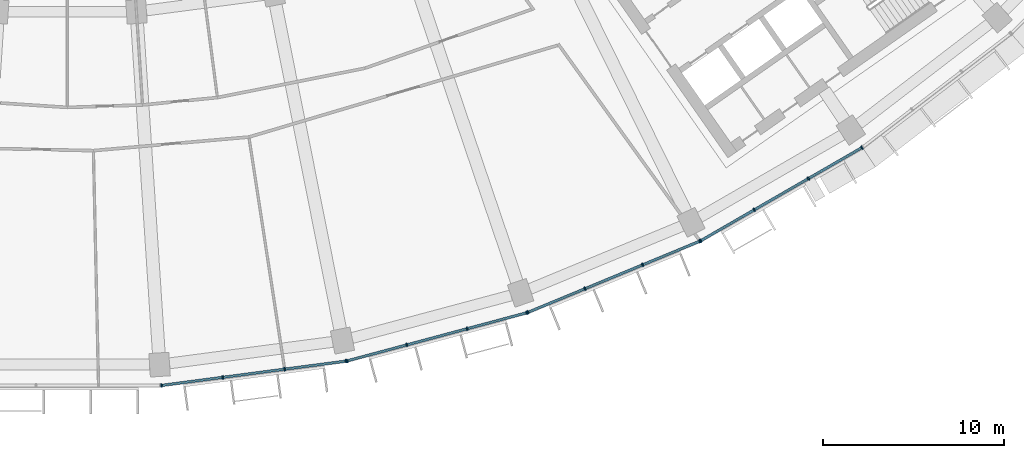
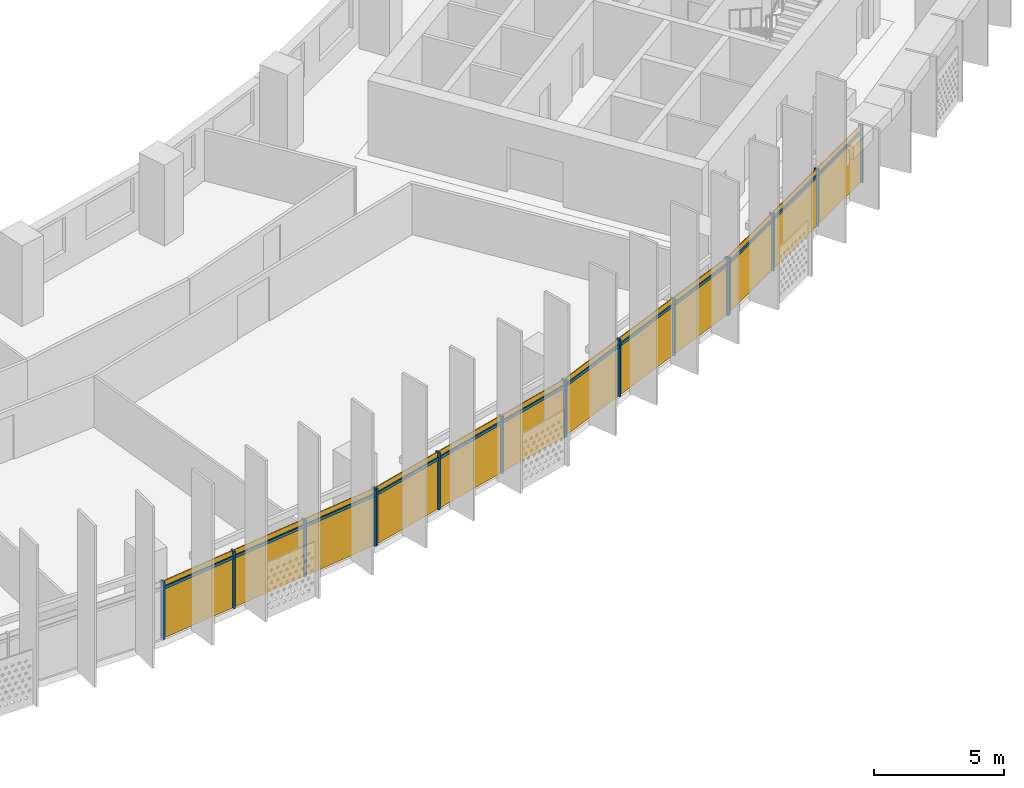
# One storey, part 19 of 27: 28 members, 4 curtain walls.
"""IFC4 building model written with IfcOpenShell, lengths in metres."""

import ifcopenshell
import ifcopenshell.guid

model = None  # the IFC model being written
_history = None  # IfcOwnerHistory: only IFC2X3 demands one
_inside = {}  # id of a spatial element -> (the spatial element, [elements in it])
_under = {}  # id of a project, library or spatial element -> (it, [spatial elements below it])
_declared = {}  # id of a project -> (the project, [libraries it declares])
_typed = {}  # id of a type object -> (the type object, [elements of that type])
_made_of = {}  # id of a material, layer set ... -> (it, [elements and type objects made of it])


def new_model(schema):
    """Start an empty IFC model of exactly this schema.

    Asked for "IFC4X3", IfcOpenShell would pick the latest addendum, in which some entities
    have other attributes; the version numbers below select the first issue.
    IFC2X3 requires an IfcOwnerHistory on every rooted entity: one is made here for all.
    """
    global model, _history
    if schema == "IFC4X3":
        model = ifcopenshell.file(schema_version=(4, 3, 0, 0))
    else:
        model = ifcopenshell.file(schema=schema)
    _inside.clear()
    _under.clear()
    _declared.clear()
    _typed.clear()
    _made_of.clear()
    _history = None
    if model.schema == "IFC2X3":
        org = make("IfcOrganization", Name="unknown")
        user = make(
            "IfcPersonAndOrganization",
            ThePerson=make("IfcPerson", FamilyName="unknown"),
            TheOrganization=org,
        )
        app = make(
            "IfcApplication",
            ApplicationDeveloper=org,
            Version="unknown",
            ApplicationFullName="unknown",
            ApplicationIdentifier="unknown",
        )
        _history = make(
            "IfcOwnerHistory",
            OwningUser=user,
            OwningApplication=app,
            ChangeAction="ADDED",
            CreationDate=0,
        )
    return model


def make(cls, **values):
    """One entity of the class cls with the attributes given. An attribute that is None is left unset."""
    return model.create_entity(
        cls, **{name: value for name, value in values.items() if value is not None}
    )


def rooted(cls, **values):
    """An entity with a GlobalId (a new one), such as an element, a storey or a relation."""
    return make(cls, GlobalId=ifcopenshell.guid.new(), OwnerHistory=_history, **values)


def si_unit(unit_type, name, prefix=None):
    """IfcSIUnit, for example si_unit("LENGTHUNIT", "METRE", prefix="MILLI")."""
    return make("IfcSIUnit", UnitType=unit_type, Prefix=prefix, Name=name)


def assignment(units):
    """IfcUnitAssignment: the units of a project."""
    return None if units is None else make("IfcUnitAssignment", Units=units)


def point(xyz):
    """IfcCartesianPoint."""
    return None if xyz is None else make("IfcCartesianPoint", Coordinates=xyz)


def direction(xyz):
    """IfcDirection."""
    return None if xyz is None else make("IfcDirection", DirectionRatios=xyz)


def frame(location, z_axis=None, x_axis=None):
    """IfcAxis2Placement3D, a coordinate frame: its origin and axes. An axis left out is left unset."""
    return make(
        "IfcAxis2Placement3D",
        Location=point(location),
        Axis=direction(z_axis),
        RefDirection=direction(x_axis),
    )


def frame_2d(location, x_axis=None):
    """IfcAxis2Placement2D, a coordinate frame in the plane: its origin and x axis."""
    return make(
        "IfcAxis2Placement2D", Location=point(location), RefDirection=direction(x_axis)
    )


def origin():
    """The frame at (0, 0, 0) with its axes left unset."""
    return frame((0.0, 0.0, 0.0))


def origin_2d():
    """The frame at (0, 0) in the plane with its x axis left unset."""
    return frame_2d((0.0, 0.0))


def place(relative_to, where):
    """IfcLocalPlacement: puts the frame where relative to a parent placement (None: the world)."""
    return make(
        "IfcLocalPlacement", PlacementRelTo=relative_to, RelativePlacement=where
    )


def context(
    kind, dimensions, precision=None, world=None, true_north=None, identifier=None
):
    """IfcGeometricRepresentationContext, for example the 3D "Model" context."""
    return make(
        "IfcGeometricRepresentationContext",
        ContextIdentifier=identifier,
        ContextType=kind,
        CoordinateSpaceDimension=dimensions,
        Precision=precision,
        WorldCoordinateSystem=world,
        TrueNorth=true_north,
    )


def subcontext(parent, identifier, kind, view, scale=None):
    """IfcGeometricRepresentationSubContext, for example "Body" below "Model"."""
    return make(
        "IfcGeometricRepresentationSubContext",
        ContextIdentifier=identifier,
        ContextType=kind,
        ParentContext=parent,
        TargetScale=scale,
        TargetView=view,
    )


def project(units=None, contexts=None):
    """IfcProject with its units and contexts."""
    return rooted(
        "IfcProject",
        Name="project",
        RepresentationContexts=contexts,
        UnitsInContext=assignment(units),
    )


def spatial(cls, under=None, at=None, **own):
    """A site, building, storey or space (cls), placed at a placement, below another one or the project."""
    s = rooted(cls, ObjectPlacement=at, **own)
    if under is not None:
        _under.setdefault(under.id(), (under, []))[1].append(s)
    return s


def profile(cls, at=None, kind="AREA", **sizes):
    """A parametric profile (cls). Its sizes go by their IFC names, for example OverallWidth=200.0."""
    return make(cls, ProfileType=kind, Position=at, **sizes)


def rectangle(**sizes):
    """IfcRectangleProfileDef."""
    return profile("IfcRectangleProfileDef", **sizes)


def extrude(swept, where, along, depth):
    """IfcExtrudedAreaSolid: the profile swept, set in the frame where, extruded along a direction by depth."""
    return make(
        "IfcExtrudedAreaSolid",
        SweptArea=swept,
        Position=where,
        ExtrudedDirection=direction(along),
        Depth=depth,
    )


def shape(context_of_items, identifier, shape_type, items):
    """IfcShapeRepresentation: the items that make up one representation, for example the "Body"."""
    return make(
        "IfcShapeRepresentation",
        ContextOfItems=context_of_items,
        RepresentationIdentifier=identifier,
        RepresentationType=shape_type,
        Items=items,
    )


def material(Name=None, Category=None):
    """IfcMaterial."""
    return make("IfcMaterial", Name=Name, Category=Category)


def material_profile(
    of_material, cross_section, Name=None, Category=None, Priority=None
):
    """IfcMaterialProfile: a cross section and its material."""
    return make(
        "IfcMaterialProfile",
        Name=Name,
        Material=of_material,
        Profile=cross_section,
        Priority=Priority,
        Category=Category,
    )


def profile_set(profiles, Name=None, composite=None):
    """IfcMaterialProfileSet."""
    return make(
        "IfcMaterialProfileSet",
        Name=Name,
        MaterialProfiles=profiles,
        CompositeProfile=composite,
    )


def made_of(thing, what):
    """Note that an element or type object is made of a material, layer set ...; save() writes the relation."""
    if what is not None:
        _made_of.setdefault(what.id(), (what, []))[1].append(thing)
    return thing


def type_object(cls, material=None, **own):
    """A type object (cls), such as IfcWallType, which elements share."""
    return made_of(rooted(cls, **own), material)


def element(
    cls,
    number,
    at=None,
    inside=None,
    cuts=None,
    type_object=None,
    material=None,
    context=None,
    identifier="Body",
    shape_type=None,
    held_by="IfcProductDefinitionShape",
    body=None,
    shapes=None,
    **own,
):
    """One element of the class cls, such as IfcWall. Its Tag is "e" and its number.

    at: its placement. inside: the storey or other place that contains it. cuts: it is an
    opening in that element (IfcRelVoidsElement). A single representation is given by context,
    identifier, shape_type and body (its items); several are given by shapes. held_by: the class
    of the entity that holds the representations. save() writes the other relations.
    """
    e = rooted(cls, Tag="e%d" % number, ObjectPlacement=at, **own)
    if body is not None:
        shapes = [shape(context, identifier, shape_type, body)]
    if shapes is not None:
        e.Representation = make(held_by, Representations=shapes)
    if inside is not None:
        _inside.setdefault(inside.id(), (inside, []))[1].append(e)
    if cuts is not None:
        rooted(
            "IfcRelVoidsElement", RelatingBuildingElement=cuts, RelatedOpeningElement=e
        )
    if type_object is not None:
        _typed.setdefault(type_object.id(), (type_object, []))[1].append(e)
    return made_of(e, material)


def aggregate(whole, parts):
    """IfcRelAggregates: a whole, such as a stair, and the parts it consists of."""
    return rooted("IfcRelAggregates", RelatingObject=whole, RelatedObjects=parts)


def save(model, path):
    """Write the relations noted so far, then the file.

    IfcRelAggregates (storeys below a building ...), IfcRelContainedInSpatialStructure (elements
    in a storey), IfcRelDefinesByType, IfcRelAssociatesMaterial and IfcRelDeclares: one each for
    every whole, place, type object, material and project.
    """
    for whole, parts in _under.values():
        aggregate(whole, parts)
    for where, things in _inside.values():
        rooted(
            "IfcRelContainedInSpatialStructure",
            RelatedElements=things,
            RelatingStructure=where,
        )
    for kind, things in _typed.values():
        rooted("IfcRelDefinesByType", RelatedObjects=things, RelatingType=kind)
    for what, things in _made_of.values():
        rooted("IfcRelAssociatesMaterial", RelatedObjects=things, RelatingMaterial=what)
    for by, libraries in _declared.values():
        rooted("IfcRelDeclares", RelatingContext=by, RelatedDefinitions=libraries)
    model.write(path)


model = new_model("IFC4")

# Units and contexts
model_context = context("Model", 3, precision=1e-05, world=origin(), true_north=direction((0.0, 1.0)))
body_context = subcontext(model_context, "Body", "Model", "MODEL_VIEW")
ifc_project = project(units=[si_unit("LENGTHUNIT", "METRE"), si_unit("AREAUNIT", "SQUARE_METRE"), si_unit("VOLUMEUNIT", "CUBIC_METRE"), si_unit("PLANEANGLEUNIT", "RADIAN"), si_unit("MASSUNIT", "GRAM", prefix="KILO")], contexts=[model_context])

# Member
ifc_material = material(Name="Aluminium 6063-T6 anodised", Category="aluminium")
ifc_material_profile_1 = material_profile(ifc_material, rectangle(XDim=0.199951171875, YDim=0.070068359375, at=origin_2d()))
ifc_profile_set_1 = profile_set([ifc_material_profile_1], Name="Aluminium 6063-T6 anodised")
member_type_1 = type_object("IfcMemberType", Name="Mullion 70 x 200 aluminium", PredefinedType="MULLION", material=ifc_profile_set_1)
site_placement = place(None, origin())
building_placement = place(site_placement, origin())
storey_placement = place(building_placement, frame((0.0, 0.0, 172.10009765625)))
member_1_placement = place(storey_placement, frame((5.1884765625, -78.72705078125, 0.0), z_axis=(0.0, 0.0, 1.0), x_axis=(-0.13052619222, 0.991444861374, 0.0)))
member_1 = element("IfcMember", 1, at=member_1_placement, type_object=member_type_1, Name="e-cw1-L40-out08/M00", PredefinedType="MULLION", context=body_context, shape_type="SweptSolid", body=[
    extrude(rectangle(XDim=0.199951171875, YDim=0.070068359375, at=origin_2d()), origin(), (0.0, 0.0, 1.0), 2.699951171875),
])

member_2_placement = place(storey_placement, frame((8.56884765625, -78.2822265625, 0.0), z_axis=(0.0, 0.0, 1.0), x_axis=(-0.13052619222, 0.991444861374, 0.0)))
member_2 = element("IfcMember", 2, at=member_2_placement, type_object=member_type_1, Name="e-cw1-L40-out08/M01", PredefinedType="MULLION", context=body_context, shape_type="SweptSolid", body=[
    extrude(rectangle(XDim=0.199951171875, YDim=0.070068359375, at=origin_2d()), origin(), (0.0, 0.0, 1.0), 2.699951171875),
])

member_3_placement = place(storey_placement, frame((11.98388671875, -77.83251953125, 0.0), z_axis=(0.0, 0.0, 1.0), x_axis=(-0.13052619222, 0.991444861374, 0.0)))
member_3 = element("IfcMember", 3, at=member_3_placement, type_object=member_type_1, Name="e-cw1-L40-out08/M02", PredefinedType="MULLION", context=body_context, shape_type="SweptSolid", body=[
    extrude(rectangle(XDim=0.199951171875, YDim=0.070068359375, at=origin_2d()), origin(), (0.0, 0.0, 1.0), 2.699951171875),
])

member_4_placement = place(storey_placement, frame((15.364501953125, -77.387451171875, 0.0), z_axis=(0.0, 0.0, 1.0), x_axis=(-0.13052619222, 0.991444861374, 0.0)))
member_4 = element("IfcMember", 4, at=member_4_placement, type_object=member_type_1, Name="e-cw1-L40-out08/M03", PredefinedType="MULLION", context=body_context, shape_type="SweptSolid", body=[
    extrude(rectangle(XDim=0.199951171875, YDim=0.070068359375, at=origin_2d()), origin(), (0.0, 0.0, 1.0), 2.699951171875),
])

member_5_placement = place(storey_placement, frame((15.420166015625, -77.37646484375, 0.0), z_axis=(0.0, 0.0, 1.0), x_axis=(-0.258819045103, 0.965925826289, 0.0)))
member_5 = element("IfcMember", 5, at=member_5_placement, type_object=member_type_1, Name="e-cw1-L40-out09/M00", PredefinedType="MULLION", context=body_context, shape_type="SweptSolid", body=[
    extrude(rectangle(XDim=0.199951171875, YDim=0.070068359375, at=origin_2d()), origin(), (0.0, 0.0, 1.0), 2.699951171875),
])

member_6_placement = place(storey_placement, frame((18.71337890625, -76.493896484375, 0.0), z_axis=(0.0, 0.0, 1.0), x_axis=(-0.258819045103, 0.965925826289, 0.0)))
member_6 = element("IfcMember", 6, at=member_6_placement, type_object=member_type_1, Name="e-cw1-L40-out09/M01", PredefinedType="MULLION", context=body_context, shape_type="SweptSolid", body=[
    extrude(rectangle(XDim=0.199951171875, YDim=0.070068359375, at=origin_2d()), origin(), (0.0, 0.0, 1.0), 2.699951171875),
])

member_7_placement = place(storey_placement, frame((22.04052734375, -75.602294921875, 0.0), z_axis=(0.0, 0.0, 1.0), x_axis=(-0.258819045103, 0.965925826289, 0.0)))
member_7 = element("IfcMember", 7, at=member_7_placement, type_object=member_type_1, Name="e-cw1-L40-out09/M02", PredefinedType="MULLION", context=body_context, shape_type="SweptSolid", body=[
    extrude(rectangle(XDim=0.199951171875, YDim=0.070068359375, at=origin_2d()), origin(), (0.0, 0.0, 1.0), 2.699951171875),
])

member_8_placement = place(storey_placement, frame((25.333984375, -74.719970703125, 0.0), z_axis=(0.0, 0.0, 1.0), x_axis=(-0.258819045103, 0.965925826289, 0.0)))
member_8 = element("IfcMember", 8, at=member_8_placement, type_object=member_type_1, Name="e-cw1-L40-out09/M03", PredefinedType="MULLION", context=body_context, shape_type="SweptSolid", body=[
    extrude(rectangle(XDim=0.199951171875, YDim=0.070068359375, at=origin_2d()), origin(), (0.0, 0.0, 1.0), 2.699951171875),
])

member_9_placement = place(storey_placement, frame((25.3876953125, -74.70166015625, 0.0), z_axis=(0.0, 0.0, 1.0), x_axis=(-0.382683432365, 0.923879532511, 0.0)))
member_9 = element("IfcMember", 9, at=member_9_placement, type_object=member_type_1, Name="e-cw1-L40-out10/M00", PredefinedType="MULLION", context=body_context, shape_type="SweptSolid", body=[
    extrude(rectangle(XDim=0.199951171875, YDim=0.070068359375, at=origin_2d()), origin(), (0.0, 0.0, 1.0), 2.699951171875),
])

member_10_placement = place(storey_placement, frame((28.537841796875, -73.39697265625, 0.0), z_axis=(0.0, 0.0, 1.0), x_axis=(-0.382683432365, 0.923879532511, 0.0)))
member_10 = element("IfcMember", 10, at=member_10_placement, type_object=member_type_1, Name="e-cw1-L40-out10/M01", PredefinedType="MULLION", context=body_context, shape_type="SweptSolid", body=[
    extrude(rectangle(XDim=0.199951171875, YDim=0.070068359375, at=origin_2d()), origin(), (0.0, 0.0, 1.0), 2.699951171875),
])

member_11_placement = place(storey_placement, frame((31.72021484375, -72.078857421875, 0.0), z_axis=(0.0, 0.0, 1.0), x_axis=(-0.382683432365, 0.923879532511, 0.0)))
member_11 = element("IfcMember", 11, at=member_11_placement, type_object=member_type_1, Name="e-cw1-L40-out10/M02", PredefinedType="MULLION", context=body_context, shape_type="SweptSolid", body=[
    extrude(rectangle(XDim=0.199951171875, YDim=0.070068359375, at=origin_2d()), origin(), (0.0, 0.0, 1.0), 2.699951171875),
])

member_12_placement = place(storey_placement, frame((34.8701171875, -70.77392578125, 0.0), z_axis=(0.0, 0.0, 1.0), x_axis=(-0.382683432365, 0.923879532511, 0.0)))
member_12 = element("IfcMember", 12, at=member_12_placement, type_object=member_type_1, Name="e-cw1-L40-out10/M03", PredefinedType="MULLION", context=body_context, shape_type="SweptSolid", body=[
    extrude(rectangle(XDim=0.199951171875, YDim=0.070068359375, at=origin_2d()), origin(), (0.0, 0.0, 1.0), 2.699951171875),
])

member_13_placement = place(storey_placement, frame((34.921142578125, -70.748779296875, 0.0), z_axis=(0.0, 0.0, 1.0), x_axis=(-0.5, 0.866025403784, 0.0)))
member_13 = element("IfcMember", 13, at=member_13_placement, type_object=member_type_1, Name="e-cw1-L40-out11/M00", PredefinedType="MULLION", context=body_context, shape_type="SweptSolid", body=[
    extrude(rectangle(XDim=0.199951171875, YDim=0.070068359375, at=origin_2d()), origin(), (0.0, 0.0, 1.0), 2.699951171875),
])

member_14_placement = place(storey_placement, frame((37.873779296875, -69.0439453125, 0.0), z_axis=(0.0, 0.0, 1.0), x_axis=(-0.5, 0.866025403784, 0.0)))
member_14 = element("IfcMember", 14, at=member_14_placement, type_object=member_type_1, Name="e-cw1-L40-out11/M01", PredefinedType="MULLION", context=body_context, shape_type="SweptSolid", body=[
    extrude(rectangle(XDim=0.199951171875, YDim=0.070068359375, at=origin_2d()), origin(), (0.0, 0.0, 1.0), 2.699951171875),
])

member_15_placement = place(storey_placement, frame((40.85693359375, -67.32177734375, 0.0), z_axis=(0.0, 0.0, 1.0), x_axis=(-0.5, 0.866025403784, 0.0)))
member_15 = element("IfcMember", 15, at=member_15_placement, type_object=member_type_1, Name="e-cw1-L40-out11/M02", PredefinedType="MULLION", context=body_context, shape_type="SweptSolid", body=[
    extrude(rectangle(XDim=0.199951171875, YDim=0.070068359375, at=origin_2d()), origin(), (0.0, 0.0, 1.0), 2.699951171875),
])

member_16_placement = place(storey_placement, frame((43.809814453125, -65.616943359375, 0.0), z_axis=(0.0, 0.0, 1.0), x_axis=(-0.5, 0.866025403784, 0.0)))
member_16 = element("IfcMember", 16, at=member_16_placement, type_object=member_type_1, Name="e-cw1-L40-out11/M03", PredefinedType="MULLION", context=body_context, shape_type="SweptSolid", body=[
    extrude(rectangle(XDim=0.199951171875, YDim=0.070068359375, at=origin_2d()), origin(), (0.0, 0.0, 1.0), 2.699951171875),
])

ifc_material_profile_2 = material_profile(ifc_material, rectangle(XDim=0.139892578125, YDim=0.1201171875, at=origin_2d()))
ifc_profile_set_2 = profile_set([ifc_material_profile_2], Name="Aluminium 6063-T6 anodised")
member_type_2 = type_object("IfcMemberType", Name="Transom 120 x 140 aluminium", PredefinedType="USERDEFINED", material=ifc_profile_set_2)
member_17_placement = place(storey_placement, frame((5.22314453125, -78.72265625, 2.39990234375), z_axis=(0.991439857731, 0.130564193033, 0.0), x_axis=(-0.130564193033, 0.991439857731, 0.0)))
member_17 = element("IfcMember", 17, at=member_17_placement, type_object=member_type_2, Name="e-cw1-L40-out08/T00", ObjectType="TRANSOM", PredefinedType="USERDEFINED", context=body_context, shape_type="SweptSolid", body=[
    extrude(rectangle(XDim=0.139892578125, YDim=0.1201171875, at=origin_2d()), origin(), (0.0, 0.0, 1.0), 3.339599609375),
])

member_18_placement = place(storey_placement, frame((8.603515625, -78.277587890625, 2.39990234375), z_axis=(0.991446413845, 0.130514399487, 0.0), x_axis=(-0.130514399487, 0.991446413845, 0.0)))
member_18 = element("IfcMember", 18, at=member_18_placement, type_object=member_type_2, Name="e-cw1-L40-out08/T01", ObjectType="TRANSOM", PredefinedType="USERDEFINED", context=body_context, shape_type="SweptSolid", body=[
    extrude(rectangle(XDim=0.139892578125, YDim=0.1201171875, at=origin_2d()), origin(), (0.0, 0.0, 1.0), 3.37451171875),
])

member_19_placement = place(storey_placement, frame((12.018798828125, -77.827880859375, 2.39990234375), z_axis=(0.991448073325, 0.130501792706, 0.0), x_axis=(-0.130501792706, 0.991448073325, 0.0)))
member_19 = element("IfcMember", 19, at=member_19_placement, type_object=member_type_2, Name="e-cw1-L40-out08/T02", ObjectType="TRANSOM", PredefinedType="USERDEFINED", context=body_context, shape_type="SweptSolid", body=[
    extrude(rectangle(XDim=0.139892578125, YDim=0.1201171875, at=origin_2d()), origin(), (0.0, 0.0, 1.0), 3.33935546875),
])

member_20_placement = place(storey_placement, frame((15.453857421875, -77.367431640625, 2.39990234375), z_axis=(0.96591509168, 0.258859103886, 0.0), x_axis=(-0.258859103886, 0.96591509168, 0.0)))
member_20 = element("IfcMember", 20, at=member_20_placement, type_object=member_type_2, Name="e-cw1-L40-out09/T00", ObjectType="TRANSOM", PredefinedType="USERDEFINED", context=body_context, shape_type="SweptSolid", body=[
    extrude(rectangle(XDim=0.139892578125, YDim=0.1201171875, at=origin_2d()), origin(), (0.0, 0.0, 1.0), 3.339599609375),
])

member_21_placement = place(storey_placement, frame((18.747314453125, -76.48486328125, 2.39990234375), z_axis=(0.965932873966, 0.258792741381, 0.0), x_axis=(-0.258792741381, 0.965932873966, 0.0)))
member_21 = element("IfcMember", 21, at=member_21_placement, type_object=member_type_2, Name="e-cw1-L40-out09/T01", ObjectType="TRANSOM", PredefinedType="USERDEFINED", context=body_context, shape_type="SweptSolid", body=[
    extrude(rectangle(XDim=0.139892578125, YDim=0.1201171875, at=origin_2d()), origin(), (0.0, 0.0, 1.0), 3.37451171875),
])

member_22_placement = place(storey_placement, frame((22.074462890625, -75.59326171875, 2.39990234375), z_axis=(0.965933368091, 0.258790897074, 0.0), x_axis=(-0.258790897074, 0.965933368091, 0.0)))
member_22 = element("IfcMember", 22, at=member_22_placement, type_object=member_type_2, Name="e-cw1-L40-out09/T02", ObjectType="TRANSOM", PredefinedType="USERDEFINED", context=body_context, shape_type="SweptSolid", body=[
    extrude(rectangle(XDim=0.139892578125, YDim=0.1201171875, at=origin_2d()), origin(), (0.0, 0.0, 1.0), 3.339599609375),
])

member_23_placement = place(storey_placement, frame((25.420166015625, -74.688232421875, 2.39990234375), z_axis=(0.923890305385, 0.382657423311, 0.0), x_axis=(-0.382657423311, 0.923890305385, 0.0)))
member_23 = element("IfcMember", 23, at=member_23_placement, type_object=member_type_2, Name="e-cw1-L40-out10/T00", ObjectType="TRANSOM", PredefinedType="USERDEFINED", context=body_context, shape_type="SweptSolid", body=[
    extrude(rectangle(XDim=0.139892578125, YDim=0.1201171875, at=origin_2d()), origin(), (0.0, 0.0, 1.0), 3.33935546875),
])

member_24_placement = place(storey_placement, frame((28.570068359375, -73.383544921875, 2.39990234375), z_axis=(0.923866926753, 0.382713863941, 0.0), x_axis=(-0.382713863941, 0.923866926753, 0.0)))
member_24 = element("IfcMember", 24, at=member_24_placement, type_object=member_type_2, Name="e-cw1-L40-out10/T01", ObjectType="TRANSOM", PredefinedType="USERDEFINED", context=body_context, shape_type="SweptSolid", body=[
    extrude(rectangle(XDim=0.139892578125, YDim=0.1201171875, at=origin_2d()), origin(), (0.0, 0.0, 1.0), 3.37451171875),
])

member_25_placement = place(storey_placement, frame((31.75244140625, -72.0654296875, 2.39990234375), z_axis=(0.923875164544, 0.382693977401, 0.0), x_axis=(-0.382693977401, 0.923875164544, 0.0)))
member_25 = element("IfcMember", 25, at=member_25_placement, type_object=member_type_2, Name="e-cw1-L40-out10/T02", ObjectType="TRANSOM", PredefinedType="USERDEFINED", context=body_context, shape_type="SweptSolid", body=[
    extrude(rectangle(XDim=0.139892578125, YDim=0.1201171875, at=origin_2d()), origin(), (0.0, 0.0, 1.0), 3.339599609375),
])

member_26_placement = place(storey_placement, frame((34.951416015625, -70.7314453125, 2.39990234375), z_axis=(0.866002968352, 0.500038857296, 0.0), x_axis=(-0.500038857296, 0.866002968352, 0.0)))
member_26 = element("IfcMember", 26, at=member_26_placement, type_object=member_type_2, Name="e-cw1-L40-out11/T00", ObjectType="TRANSOM", PredefinedType="USERDEFINED", context=body_context, shape_type="SweptSolid", body=[
    extrude(rectangle(XDim=0.139892578125, YDim=0.1201171875, at=origin_2d()), origin(), (0.0, 0.0, 1.0), 3.339599609375),
])

member_27_placement = place(storey_placement, frame((37.904296875, -69.026611328125, 2.39990234375), z_axis=(0.86602172966, 0.500006363716, 0.0), x_axis=(-0.500006363716, 0.86602172966, 0.0)))
member_27 = element("IfcMember", 27, at=member_27_placement, type_object=member_type_2, Name="e-cw1-L40-out11/T01", ObjectType="TRANSOM", PredefinedType="USERDEFINED", context=body_context, shape_type="SweptSolid", body=[
    extrude(rectangle(XDim=0.139892578125, YDim=0.1201171875, at=origin_2d()), origin(), (0.0, 0.0, 1.0), 3.37451171875),
])

member_28_placement = place(storey_placement, frame((40.88720703125, -67.30419921875, 2.39990234375), z_axis=(0.866052898888, 0.49995237406, 0.0), x_axis=(-0.49995237406, 0.866052898888, 0.0)))
member_28 = element("IfcMember", 28, at=member_28_placement, type_object=member_type_2, Name="e-cw1-L40-out11/T02", ObjectType="TRANSOM", PredefinedType="USERDEFINED", context=body_context, shape_type="SweptSolid", body=[
    extrude(rectangle(XDim=0.139892578125, YDim=0.1201171875, at=origin_2d()), origin(), (0.0, 0.0, 1.0), 3.339599609375),
])

# Site, building, storey
site = spatial("IfcSite", under=ifc_project, at=site_placement, CompositionType="ELEMENT")
building = spatial("IfcBuilding", under=site, at=building_placement, Name="Qamariyya Broadcast Tower", CompositionType="ELEMENT")
storey = spatial("IfcBuildingStorey", under=building, at=storey_placement, Name="L40", CompositionType="ELEMENT", Elevation=172.10009765625)

# Curtain wall
curtain_wall_type = type_object("IfcCurtainWallType", Name="Unitised curtain wall, anodised aluminium", PredefinedType="NOTDEFINED", material=ifc_material)
curtain_wall_1_placement = place(storey_placement, origin())
curtain_wall_1 = element("IfcCurtainWall", 29, at=curtain_wall_1_placement, inside=storey, type_object=curtain_wall_type, Name="e-cw1-L40-out08", PredefinedType="NOTDEFINED", context=body_context, shape_type="SweptSolid", body=[
    extrude(rectangle(XDim=3.339599609375, YDim=0.031982421875, at=origin_2d()), frame((6.878662109375, -78.504638671875, 0.0), x_axis=(0.991444240905, 0.130530905064, 0.0)), (0.0, 0.0, 1.0), 2.340087890625),
    extrude(rectangle(XDim=3.339599609375, YDim=0.031982421875, at=origin_2d()), frame((6.878662109375, -78.504638671875, 2.4599609375), x_axis=(0.991444240905, 0.130530905064, 0.0)), (0.0, 0.0, 1.0), 0.239990234375),
    extrude(rectangle(XDim=3.37451171875, YDim=0.031982421875, at=origin_2d()), frame((10.2763671875, -78.05712890625, 0.0), x_axis=(0.991444240905, 0.130530905064, 0.0)), (0.0, 0.0, 1.0), 2.340087890625),
    extrude(rectangle(XDim=3.37451171875, YDim=0.031982421875, at=origin_2d()), frame((10.2763671875, -78.05712890625, 2.4599609375), x_axis=(0.991444240905, 0.130530905064, 0.0)), (0.0, 0.0, 1.0), 0.239990234375),
    extrude(rectangle(XDim=3.339599609375, YDim=0.031982421875, at=origin_2d()), frame((13.67431640625, -77.60986328125, 0.0), x_axis=(0.991444240905, 0.130530905064, 0.0)), (0.0, 0.0, 1.0), 2.340087890625),
    extrude(rectangle(XDim=3.339599609375, YDim=0.031982421875, at=origin_2d()), frame((13.67431640625, -77.60986328125, 2.4599609375), x_axis=(0.991444240905, 0.130530905064, 0.0)), (0.0, 0.0, 1.0), 0.239990234375),
])

aggregate(curtain_wall_1, [member_1, member_2, member_3, member_4, member_17, member_18, member_19])

curtain_wall_2_placement = place(storey_placement, origin())
curtain_wall_2 = element("IfcCurtainWall", 30, at=curtain_wall_2_placement, inside=storey, type_object=curtain_wall_type, Name="e-cw1-L40-out09", PredefinedType="NOTDEFINED", context=body_context, shape_type="SweptSolid", body=[
    extrude(rectangle(XDim=3.339599609375, YDim=0.031982421875, at=origin_2d()), frame((17.066650390625, -76.935302734375, 0.0), x_axis=(0.965926433062, 0.258816780584, 0.0)), (0.0, 0.0, 1.0), 2.340087890625),
    extrude(rectangle(XDim=3.339599609375, YDim=0.031982421875, at=origin_2d()), frame((17.066650390625, -76.935302734375, 2.4599609375), x_axis=(0.965926433062, 0.258816780584, 0.0)), (0.0, 0.0, 1.0), 0.239990234375),
    extrude(rectangle(XDim=3.37451171875, YDim=0.031982421875, at=origin_2d()), frame((20.376953125, -76.04833984375, 0.0), x_axis=(0.965926433062, 0.258816780584, 0.0)), (0.0, 0.0, 1.0), 2.340087890625),
    extrude(rectangle(XDim=3.37451171875, YDim=0.031982421875, at=origin_2d()), frame((20.376953125, -76.04833984375, 2.4599609375), x_axis=(0.965926433062, 0.258816780584, 0.0)), (0.0, 0.0, 1.0), 0.239990234375),
    extrude(rectangle(XDim=3.339599609375, YDim=0.031982421875, at=origin_2d()), frame((23.6875, -75.1611328125, 0.0), x_axis=(0.965926433062, 0.258816780584, 0.0)), (0.0, 0.0, 1.0), 2.340087890625),
    extrude(rectangle(XDim=3.339599609375, YDim=0.031982421875, at=origin_2d()), frame((23.6875, -75.1611328125, 2.4599609375), x_axis=(0.965926433062, 0.258816780584, 0.0)), (0.0, 0.0, 1.0), 0.239990234375),
])

aggregate(curtain_wall_2, [member_5, member_6, member_7, member_8, member_20, member_21, member_22])

curtain_wall_3_placement = place(storey_placement, origin())
curtain_wall_3 = element("IfcCurtainWall", 31, at=curtain_wall_3_placement, inside=storey, type_object=curtain_wall_type, Name="e-cw1-L40-out10", PredefinedType="NOTDEFINED", context=body_context, shape_type="SweptSolid", body=[
    extrude(rectangle(XDim=3.339599609375, YDim=0.031982421875, at=origin_2d()), frame((26.962890625, -74.04931640625, 0.0), x_axis=(0.923878040314, 0.382687034829, 0.0)), (0.0, 0.0, 1.0), 2.340087890625),
    extrude(rectangle(XDim=3.339599609375, YDim=0.031982421875, at=origin_2d()), frame((26.962890625, -74.04931640625, 2.4599609375), x_axis=(0.923878040314, 0.382687034829, 0.0)), (0.0, 0.0, 1.0), 0.239990234375),
    extrude(rectangle(XDim=3.37451171875, YDim=0.031982421875, at=origin_2d()), frame((30.12890625, -72.73779296875, 0.0), x_axis=(0.923878040314, 0.382687034829, 0.0)), (0.0, 0.0, 1.0), 2.340087890625),
    extrude(rectangle(XDim=3.37451171875, YDim=0.031982421875, at=origin_2d()), frame((30.12890625, -72.73779296875, 2.4599609375), x_axis=(0.923878040314, 0.382687034829, 0.0)), (0.0, 0.0, 1.0), 0.239990234375),
    extrude(rectangle(XDim=3.339599609375, YDim=0.031982421875, at=origin_2d()), frame((33.295166015625, -71.42626953125, 0.0), x_axis=(0.923878040314, 0.382687034829, 0.0)), (0.0, 0.0, 1.0), 2.340087890625),
    extrude(rectangle(XDim=3.339599609375, YDim=0.031982421875, at=origin_2d()), frame((33.295166015625, -71.42626953125, 2.4599609375), x_axis=(0.923878040314, 0.382687034829, 0.0)), (0.0, 0.0, 1.0), 0.239990234375),
])

aggregate(curtain_wall_3, [member_9, member_10, member_11, member_12, member_23, member_24, member_25])

curtain_wall_4_placement = place(storey_placement, origin())
curtain_wall_4 = element("IfcCurtainWall", 32, at=curtain_wall_4_placement, inside=storey, type_object=curtain_wall_type, Name="e-cw1-L40-out11", PredefinedType="NOTDEFINED", context=body_context, shape_type="SweptSolid", body=[
    extrude(rectangle(XDim=3.339599609375, YDim=0.031982421875, at=origin_2d()), frame((36.3974609375, -69.896484375, 0.0), x_axis=(0.866028999376, 0.499993772201, 0.0)), (0.0, 0.0, 1.0), 2.340087890625),
    extrude(rectangle(XDim=3.339599609375, YDim=0.031982421875, at=origin_2d()), frame((36.3974609375, -69.896484375, 2.4599609375), x_axis=(0.866028999376, 0.499993772201, 0.0)), (0.0, 0.0, 1.0), 0.239990234375),
    extrude(rectangle(XDim=3.37451171875, YDim=0.031982421875, at=origin_2d()), frame((39.365478515625, -68.18310546875, 0.0), x_axis=(0.866028999376, 0.499993772201, 0.0)), (0.0, 0.0, 1.0), 2.340087890625),
    extrude(rectangle(XDim=3.37451171875, YDim=0.031982421875, at=origin_2d()), frame((39.365478515625, -68.18310546875, 2.4599609375), x_axis=(0.866028999376, 0.499993772201, 0.0)), (0.0, 0.0, 1.0), 0.239990234375),
    extrude(rectangle(XDim=3.339599609375, YDim=0.031982421875, at=origin_2d()), frame((42.33349609375, -66.469482421875, 0.0), x_axis=(0.866028999376, 0.499993772201, 0.0)), (0.0, 0.0, 1.0), 2.340087890625),
    extrude(rectangle(XDim=3.339599609375, YDim=0.031982421875, at=origin_2d()), frame((42.33349609375, -66.469482421875, 2.4599609375), x_axis=(0.866028999376, 0.499993772201, 0.0)), (0.0, 0.0, 1.0), 0.239990234375),
])

aggregate(curtain_wall_4, [member_13, member_14, member_15, member_16, member_26, member_27, member_28])

save(model, "model.ifc")
